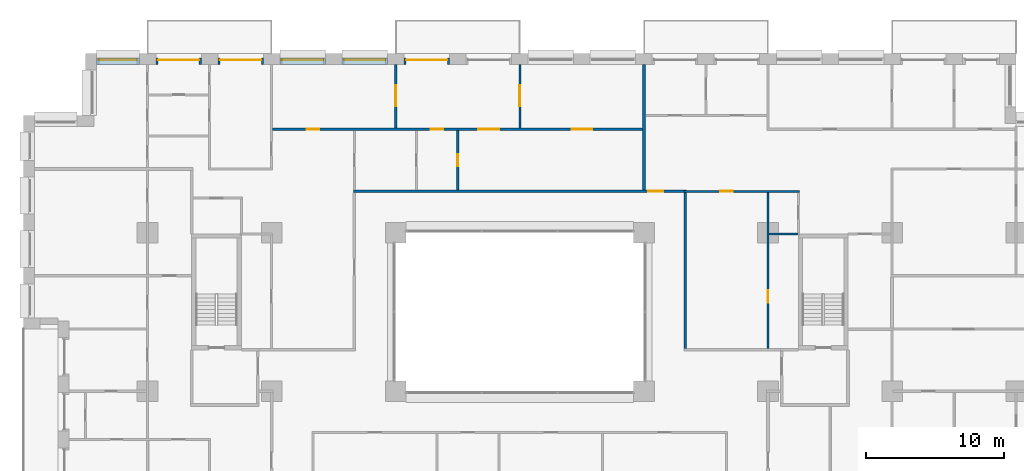
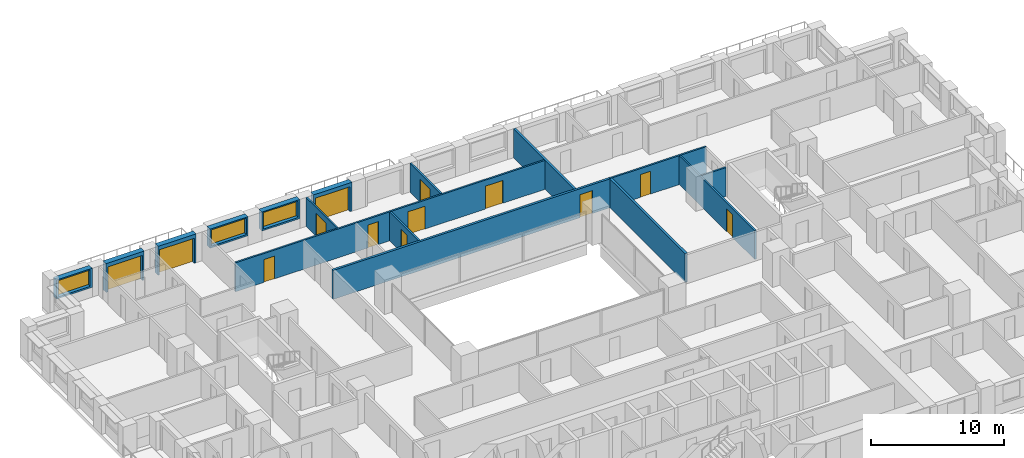
# One storey, part 14 of 20: 16 walls, 13 doors, 3 windows, 16 openings.
"""IFC4 building model written with IfcOpenShell, lengths in metres."""

import ifcopenshell
import ifcopenshell.guid

model = None  # the IFC model being written
_history = None  # IfcOwnerHistory: only IFC2X3 demands one
_inside = {}  # id of a spatial element -> (the spatial element, [elements in it])
_under = {}  # id of a project, library or spatial element -> (it, [spatial elements below it])
_declared = {}  # id of a project -> (the project, [libraries it declares])
_typed = {}  # id of a type object -> (the type object, [elements of that type])
_made_of = {}  # id of a material, layer set ... -> (it, [elements and type objects made of it])


def new_model(schema):
    """Start an empty IFC model of exactly this schema.

    Asked for "IFC4X3", IfcOpenShell would pick the latest addendum, in which some entities
    have other attributes; the version numbers below select the first issue.
    IFC2X3 requires an IfcOwnerHistory on every rooted entity: one is made here for all.
    """
    global model, _history
    if schema == "IFC4X3":
        model = ifcopenshell.file(schema_version=(4, 3, 0, 0))
    else:
        model = ifcopenshell.file(schema=schema)
    _inside.clear()
    _under.clear()
    _declared.clear()
    _typed.clear()
    _made_of.clear()
    _history = None
    if model.schema == "IFC2X3":
        org = make("IfcOrganization", Name="unknown")
        user = make(
            "IfcPersonAndOrganization",
            ThePerson=make("IfcPerson", FamilyName="unknown"),
            TheOrganization=org,
        )
        app = make(
            "IfcApplication",
            ApplicationDeveloper=org,
            Version="unknown",
            ApplicationFullName="unknown",
            ApplicationIdentifier="unknown",
        )
        _history = make(
            "IfcOwnerHistory",
            OwningUser=user,
            OwningApplication=app,
            ChangeAction="ADDED",
            CreationDate=0,
        )
    return model


def make(cls, **values):
    """One entity of the class cls with the attributes given. An attribute that is None is left unset."""
    return model.create_entity(
        cls, **{name: value for name, value in values.items() if value is not None}
    )


def rooted(cls, **values):
    """An entity with a GlobalId (a new one), such as an element, a storey or a relation."""
    return make(cls, GlobalId=ifcopenshell.guid.new(), OwnerHistory=_history, **values)


def si_unit(unit_type, name, prefix=None):
    """IfcSIUnit, for example si_unit("LENGTHUNIT", "METRE", prefix="MILLI")."""
    return make("IfcSIUnit", UnitType=unit_type, Prefix=prefix, Name=name)


def assignment(units):
    """IfcUnitAssignment: the units of a project."""
    return None if units is None else make("IfcUnitAssignment", Units=units)


def point(xyz):
    """IfcCartesianPoint."""
    return None if xyz is None else make("IfcCartesianPoint", Coordinates=xyz)


def direction(xyz):
    """IfcDirection."""
    return None if xyz is None else make("IfcDirection", DirectionRatios=xyz)


def frame(location, z_axis=None, x_axis=None):
    """IfcAxis2Placement3D, a coordinate frame: its origin and axes. An axis left out is left unset."""
    return make(
        "IfcAxis2Placement3D",
        Location=point(location),
        Axis=direction(z_axis),
        RefDirection=direction(x_axis),
    )


def frame_2d(location, x_axis=None):
    """IfcAxis2Placement2D, a coordinate frame in the plane: its origin and x axis."""
    return make(
        "IfcAxis2Placement2D", Location=point(location), RefDirection=direction(x_axis)
    )


def origin():
    """The frame at (0, 0, 0) with its axes left unset."""
    return frame((0.0, 0.0, 0.0))


def place(relative_to, where):
    """IfcLocalPlacement: puts the frame where relative to a parent placement (None: the world)."""
    return make(
        "IfcLocalPlacement", PlacementRelTo=relative_to, RelativePlacement=where
    )


def context(
    kind, dimensions, precision=None, world=None, true_north=None, identifier=None
):
    """IfcGeometricRepresentationContext, for example the 3D "Model" context."""
    return make(
        "IfcGeometricRepresentationContext",
        ContextIdentifier=identifier,
        ContextType=kind,
        CoordinateSpaceDimension=dimensions,
        Precision=precision,
        WorldCoordinateSystem=world,
        TrueNorth=true_north,
    )


def subcontext(parent, identifier, kind, view, scale=None):
    """IfcGeometricRepresentationSubContext, for example "Body" below "Model"."""
    return make(
        "IfcGeometricRepresentationSubContext",
        ContextIdentifier=identifier,
        ContextType=kind,
        ParentContext=parent,
        TargetScale=scale,
        TargetView=view,
    )


def project(units=None, contexts=None):
    """IfcProject with its units and contexts."""
    return rooted(
        "IfcProject",
        Name="project",
        RepresentationContexts=contexts,
        UnitsInContext=assignment(units),
    )


def spatial(cls, under=None, at=None, **own):
    """A site, building, storey or space (cls), placed at a placement, below another one or the project."""
    s = rooted(cls, ObjectPlacement=at, **own)
    if under is not None:
        _under.setdefault(under.id(), (under, []))[1].append(s)
    return s


def profile(cls, at=None, kind="AREA", **sizes):
    """A parametric profile (cls). Its sizes go by their IFC names, for example OverallWidth=200.0."""
    return make(cls, ProfileType=kind, Position=at, **sizes)


def rectangle(**sizes):
    """IfcRectangleProfileDef."""
    return profile("IfcRectangleProfileDef", **sizes)


def extrude(swept, where, along, depth):
    """IfcExtrudedAreaSolid: the profile swept, set in the frame where, extruded along a direction by depth."""
    return make(
        "IfcExtrudedAreaSolid",
        SweptArea=swept,
        Position=where,
        ExtrudedDirection=direction(along),
        Depth=depth,
    )


def shape(context_of_items, identifier, shape_type, items):
    """IfcShapeRepresentation: the items that make up one representation, for example the "Body"."""
    return make(
        "IfcShapeRepresentation",
        ContextOfItems=context_of_items,
        RepresentationIdentifier=identifier,
        RepresentationType=shape_type,
        Items=items,
    )


def material(Name=None, Category=None):
    """IfcMaterial."""
    return make("IfcMaterial", Name=Name, Category=Category)


def layer(
    of_material, thickness, ventilated=None, Name=None, Category=None, Priority=None
):
    """IfcMaterialLayer: one layer of a wall or slab, of a material (None: an air gap)."""
    return make(
        "IfcMaterialLayer",
        Material=of_material,
        LayerThickness=thickness,
        IsVentilated=ventilated,
        Name=Name,
        Category=Category,
        Priority=Priority,
    )


def layer_set(layers, Name=None):
    """IfcMaterialLayerSet."""
    return make("IfcMaterialLayerSet", MaterialLayers=layers, LayerSetName=Name)


def made_of(thing, what):
    """Note that an element or type object is made of a material, layer set ...; save() writes the relation."""
    if what is not None:
        _made_of.setdefault(what.id(), (what, []))[1].append(thing)
    return thing


def type_object(cls, material=None, **own):
    """A type object (cls), such as IfcWallType, which elements share."""
    return made_of(rooted(cls, **own), material)


def element(
    cls,
    number,
    at=None,
    inside=None,
    cuts=None,
    type_object=None,
    material=None,
    context=None,
    identifier="Body",
    shape_type=None,
    held_by="IfcProductDefinitionShape",
    body=None,
    shapes=None,
    **own,
):
    """One element of the class cls, such as IfcWall. Its Tag is "e" and its number.

    at: its placement. inside: the storey or other place that contains it. cuts: it is an
    opening in that element (IfcRelVoidsElement). A single representation is given by context,
    identifier, shape_type and body (its items); several are given by shapes. held_by: the class
    of the entity that holds the representations. save() writes the other relations.
    """
    e = rooted(cls, Tag="e%d" % number, ObjectPlacement=at, **own)
    if body is not None:
        shapes = [shape(context, identifier, shape_type, body)]
    if shapes is not None:
        e.Representation = make(held_by, Representations=shapes)
    if inside is not None:
        _inside.setdefault(inside.id(), (inside, []))[1].append(e)
    if cuts is not None:
        rooted(
            "IfcRelVoidsElement", RelatingBuildingElement=cuts, RelatedOpeningElement=e
        )
    if type_object is not None:
        _typed.setdefault(type_object.id(), (type_object, []))[1].append(e)
    return made_of(e, material)


def fill(opening, filler):
    """IfcRelFillsElement: the door or window that sits in an opening."""
    return rooted(
        "IfcRelFillsElement",
        RelatingOpeningElement=opening,
        RelatedBuildingElement=filler,
    )


def aggregate(whole, parts):
    """IfcRelAggregates: a whole, such as a stair, and the parts it consists of."""
    return rooted("IfcRelAggregates", RelatingObject=whole, RelatedObjects=parts)


def save(model, path):
    """Write the relations noted so far, then the file.

    IfcRelAggregates (storeys below a building ...), IfcRelContainedInSpatialStructure (elements
    in a storey), IfcRelDefinesByType, IfcRelAssociatesMaterial and IfcRelDeclares: one each for
    every whole, place, type object, material and project.
    """
    for whole, parts in _under.values():
        aggregate(whole, parts)
    for where, things in _inside.values():
        rooted(
            "IfcRelContainedInSpatialStructure",
            RelatedElements=things,
            RelatingStructure=where,
        )
    for kind, things in _typed.values():
        rooted("IfcRelDefinesByType", RelatedObjects=things, RelatingType=kind)
    for what, things in _made_of.values():
        rooted("IfcRelAssociatesMaterial", RelatedObjects=things, RelatingMaterial=what)
    for by, libraries in _declared.values():
        rooted("IfcRelDeclares", RelatingContext=by, RelatedDefinitions=libraries)
    model.write(path)


model = new_model("IFC4")

# Units and contexts
model_context = context("Model", 3, precision=1e-05, world=origin(), true_north=direction((0.0, 1.0)))
body_context = subcontext(model_context, "Body", "Model", "MODEL_VIEW")
ifc_project = project(units=[si_unit("LENGTHUNIT", "METRE"), si_unit("AREAUNIT", "SQUARE_METRE"), si_unit("VOLUMEUNIT", "CUBIC_METRE"), si_unit("PLANEANGLEUNIT", "RADIAN"), si_unit("MASSUNIT", "GRAM", prefix="KILO")], contexts=[model_context])

# Site, building, storey
site_placement = place(None, origin())
site = spatial("IfcSite", under=ifc_project, at=site_placement, CompositionType="ELEMENT")
building_placement = place(site_placement, origin())
building = spatial("IfcBuilding", under=site, at=building_placement, Name="Brigalow Station Residences", CompositionType="ELEMENT")
storey_placement = place(building_placement, frame((0.0, 0.0, 69.89990234375)))
storey = spatial("IfcBuildingStorey", under=building, at=storey_placement, Name="L20", CompositionType="ELEMENT", Elevation=69.89990234375)

# Wall, opening, door
ifc_material_1 = material(Name="Clay brick masonry", Category="masonry")
ifc_layer_1 = layer(ifc_material_1, 0.449951171875)
ifc_layer_set_1 = layer_set([ifc_layer_1], Name="BRICK INFILL WALL 450")
wall_type_1 = type_object("IfcWallType", Name="BRICK INFILL WALL 450", PredefinedType="SOLIDWALL", material=ifc_layer_set_1)
wall_1_placement = place(storey_placement, frame((30.89990234375, 47.925048828125, 0.0), z_axis=(0.0, 0.0, 1.0), x_axis=(-1.0, 0.0, 0.0)))
wall_1 = element("IfcWall", 1, at=wall_1_placement, inside=storey, type_object=wall_type_1, Name="L20/ewall/W-L20-34", PredefinedType="SOLIDWALL", context=body_context, shape_type="SweptSolid", body=[
    extrude(rectangle(XDim=3.2998046875, YDim=0.449951171875, at=frame_2d((1.64990234375, 0.0))), origin(), (0.0, 0.0, 1.0), 2.650146484375),
])
opening_1_placement = place(wall_1_placement, frame((0.14990234375, 0.0, 0.0)))
opening_1 = element("IfcOpeningElement", 2, at=opening_1_placement, cuts=wall_1, Name="Opening D-B3000", PredefinedType="OPENING", context=body_context, shape_type="SweptSolid", body=[
    extrude(rectangle(XDim=3.0, YDim=2.300048828125, at=frame_2d((1.5, 1.14990234375))), frame((0.0, 0.23486328125, 0.0), z_axis=(0.0, -1.0, 0.0), x_axis=(1.0, 0.0, 0.0)), (0.0, 0.0, 1.0), 0.469970703125),
])
ifc_material_2 = material(Name="Anodised aluminium frame with double glazing", Category="aluminium")
door_type_1 = type_object("IfcDoorType", Name="BALCONY SLIDING DOOR 3000x2300", OperationType="SLIDING_TO_LEFT", PredefinedType="DOOR", material=ifc_material_2)
door_1_placement = place(opening_1_placement, origin())
door_1 = element("IfcDoor", 3, at=door_1_placement, inside=storey, type_object=door_type_1, Name="L20/balcony-door/W-L20-34", OperationType="SLIDING_TO_LEFT", OverallHeight=2.300048828125, OverallWidth=3.0, PredefinedType="DOOR", context=body_context, shape_type="SweptSolid", body=[
    extrude(rectangle(XDim=3.0, YDim=2.300048828125, at=frame_2d((1.5, 1.14990234375))), frame((0.0, -0.06982421875, 0.0), z_axis=(0.0, -1.0, 0.0), x_axis=(1.0, 0.0, 0.0)), (0.0, 0.0, 1.0), 0.050048828125),
])
fill(opening_1, door_1)

# Wall, opening, window
wall_2_placement = place(storey_placement, frame((26.39990234375, 47.925048828125, 0.900146484375), z_axis=(0.0, 0.0, 1.0), x_axis=(-1.0, 0.0, 0.0)))
wall_2 = element("IfcWall", 4, at=wall_2_placement, inside=storey, type_object=wall_type_1, Name="L20/ewall/W-L20-35", PredefinedType="SOLIDWALL", context=body_context, shape_type="SweptSolid", body=[
    extrude(rectangle(XDim=3.2998046875, YDim=0.449951171875, at=frame_2d((1.64990234375, 0.0))), origin(), (0.0, 0.0, 1.0), 1.75),
])
opening_2_placement = place(wall_2_placement, frame((0.14990234375, 0.0, 0.14990234375)))
opening_2 = element("IfcOpeningElement", 5, at=opening_2_placement, cuts=wall_2, Name="Opening WT-2", PredefinedType="OPENING", context=body_context, shape_type="SweptSolid", body=[
    extrude(rectangle(XDim=3.0, YDim=1.5, at=frame_2d((1.5, 0.75))), frame((0.0, 0.23486328125, 0.0), z_axis=(0.0, -1.0, 0.0), x_axis=(1.0, 0.0, 0.0)), (0.0, 0.0, 1.0), 0.469970703125),
])
ifc_material_3 = material(Name="Anodised aluminium frame with double glazing", Category="aluminium")
window_type_1 = type_object("IfcWindowType", Name="WINDOW 3000x1500", PartitioningType="SINGLE_PANEL", PredefinedType="WINDOW", material=ifc_material_3)
window_1_placement = place(opening_2_placement, origin())
window_1 = element("IfcWindow", 6, at=window_1_placement, inside=storey, type_object=window_type_1, Name="L20/window/W-L20-35", OverallHeight=1.5, OverallWidth=3.0, PartitioningType="SINGLE_PANEL", PredefinedType="WINDOW", context=body_context, shape_type="SweptSolid", body=[
    extrude(rectangle(XDim=3.0, YDim=1.5, at=frame_2d((1.5, 0.75))), frame((0.0, -0.06494140625, 0.0), z_axis=(0.0, -1.0, 0.0), x_axis=(1.0, 0.0, 0.0)), (0.0, 0.0, 1.0), 0.06005859375),
])
fill(opening_2, window_1)

wall_3_placement = place(storey_placement, frame((21.89990234375, 47.925048828125, 0.900146484375), z_axis=(0.0, 0.0, 1.0), x_axis=(-1.0, 0.0, 0.0)))
wall_3 = element("IfcWall", 7, at=wall_3_placement, inside=storey, type_object=wall_type_1, Name="L20/ewall/W-L20-36", PredefinedType="SOLIDWALL", context=body_context, shape_type="SweptSolid", body=[
    extrude(rectangle(XDim=3.2998046875, YDim=0.449951171875, at=frame_2d((1.64990234375, 0.0))), origin(), (0.0, 0.0, 1.0), 1.75),
])
opening_3_placement = place(wall_3_placement, frame((0.14990234375, 0.0, 0.14990234375)))
opening_3 = element("IfcOpeningElement", 8, at=opening_3_placement, cuts=wall_3, Name="Opening WT-2", PredefinedType="OPENING", context=body_context, shape_type="SweptSolid", body=[
    extrude(rectangle(XDim=3.0, YDim=1.5, at=frame_2d((1.5, 0.75))), frame((0.0, 0.23486328125, 0.0), z_axis=(0.0, -1.0, 0.0), x_axis=(1.0, 0.0, 0.0)), (0.0, 0.0, 1.0), 0.469970703125),
])
window_2_placement = place(opening_3_placement, origin())
window_2 = element("IfcWindow", 9, at=window_2_placement, inside=storey, type_object=window_type_1, Name="L20/window/W-L20-36", OverallHeight=1.5, OverallWidth=3.0, PartitioningType="SINGLE_PANEL", PredefinedType="WINDOW", context=body_context, shape_type="SweptSolid", body=[
    extrude(rectangle(XDim=3.0, YDim=1.5, at=frame_2d((1.5, 0.75))), frame((0.0, -0.06494140625, 0.0), z_axis=(0.0, -1.0, 0.0), x_axis=(1.0, 0.0, 0.0)), (0.0, 0.0, 1.0), 0.06005859375),
])
fill(opening_3, window_2)

# Wall, opening, door
wall_4_placement = place(storey_placement, frame((17.39990234375, 47.925048828125, 0.0), z_axis=(0.0, 0.0, 1.0), x_axis=(-1.0, 0.0, 0.0)))
wall_4 = element("IfcWall", 10, at=wall_4_placement, inside=storey, type_object=wall_type_1, Name="L20/ewall/W-L20-37", PredefinedType="SOLIDWALL", context=body_context, shape_type="SweptSolid", body=[
    extrude(rectangle(XDim=3.2998046875, YDim=0.449951171875, at=frame_2d((1.64990234375, 0.0))), origin(), (0.0, 0.0, 1.0), 2.650146484375),
])
opening_4_placement = place(wall_4_placement, frame((0.14990234375, 0.0, 0.0)))
opening_4 = element("IfcOpeningElement", 11, at=opening_4_placement, cuts=wall_4, Name="Opening D-B3000", PredefinedType="OPENING", context=body_context, shape_type="SweptSolid", body=[
    extrude(rectangle(XDim=3.0, YDim=2.300048828125, at=frame_2d((1.5, 1.14990234375))), frame((0.0, 0.23486328125, 0.0), z_axis=(0.0, -1.0, 0.0), x_axis=(1.0, 0.0, 0.0)), (0.0, 0.0, 1.0), 0.469970703125),
])
door_2_placement = place(opening_4_placement, origin())
door_2 = element("IfcDoor", 12, at=door_2_placement, inside=storey, type_object=door_type_1, Name="L20/balcony-door/W-L20-37", OperationType="SLIDING_TO_LEFT", OverallHeight=2.300048828125, OverallWidth=3.0, PredefinedType="DOOR", context=body_context, shape_type="SweptSolid", body=[
    extrude(rectangle(XDim=3.0, YDim=2.300048828125, at=frame_2d((1.5, 1.14990234375))), frame((0.0, -0.06982421875, 0.0), z_axis=(0.0, -1.0, 0.0), x_axis=(1.0, 0.0, 0.0)), (0.0, 0.0, 1.0), 0.050048828125),
])
fill(opening_4, door_2)

wall_5_placement = place(storey_placement, frame((12.89990234375, 47.925048828125, 0.0), z_axis=(0.0, 0.0, 1.0), x_axis=(-1.0, 0.0, 0.0)))
wall_5 = element("IfcWall", 13, at=wall_5_placement, inside=storey, type_object=wall_type_1, Name="L20/ewall/W-L20-38", PredefinedType="SOLIDWALL", context=body_context, shape_type="SweptSolid", body=[
    extrude(rectangle(XDim=3.2998046875, YDim=0.449951171875, at=frame_2d((1.64990234375, 0.0))), origin(), (0.0, 0.0, 1.0), 2.650146484375),
])
opening_5_placement = place(wall_5_placement, frame((0.14990234375, 0.0, 0.0)))
opening_5 = element("IfcOpeningElement", 14, at=opening_5_placement, cuts=wall_5, Name="Opening D-B3000", PredefinedType="OPENING", context=body_context, shape_type="SweptSolid", body=[
    extrude(rectangle(XDim=3.0, YDim=2.300048828125, at=frame_2d((1.5, 1.14990234375))), frame((0.0, 0.23486328125, 0.0), z_axis=(0.0, -1.0, 0.0), x_axis=(1.0, 0.0, 0.0)), (0.0, 0.0, 1.0), 0.469970703125),
])
door_3_placement = place(opening_5_placement, origin())
door_3 = element("IfcDoor", 15, at=door_3_placement, inside=storey, type_object=door_type_1, Name="L20/balcony-door/W-L20-38", OperationType="SLIDING_TO_LEFT", OverallHeight=2.300048828125, OverallWidth=3.0, PredefinedType="DOOR", context=body_context, shape_type="SweptSolid", body=[
    extrude(rectangle(XDim=3.0, YDim=2.300048828125, at=frame_2d((1.5, 1.14990234375))), frame((0.0, -0.06982421875, 0.0), z_axis=(0.0, -1.0, 0.0), x_axis=(1.0, 0.0, 0.0)), (0.0, 0.0, 1.0), 0.050048828125),
])
fill(opening_5, door_3)

# Wall, opening, window
wall_6_placement = place(storey_placement, frame((8.39990234375, 47.925048828125, 0.900146484375), z_axis=(0.0, 0.0, 1.0), x_axis=(-1.0, 0.0, 0.0)))
wall_6 = element("IfcWall", 16, at=wall_6_placement, inside=storey, type_object=wall_type_1, Name="L20/ewall/W-L20-39", PredefinedType="SOLIDWALL", context=body_context, shape_type="SweptSolid", body=[
    extrude(rectangle(XDim=3.099853515625, YDim=0.449951171875, at=frame_2d((1.5498046875, 0.0))), origin(), (0.0, 0.0, 1.0), 1.75),
])
opening_6_placement = place(wall_6_placement, frame((0.175048828125, 0.0, 0.14990234375)))
opening_6 = element("IfcOpeningElement", 17, at=opening_6_placement, cuts=wall_6, Name="Opening WT-3", PredefinedType="OPENING", context=body_context, shape_type="SweptSolid", body=[
    extrude(rectangle(XDim=2.75, YDim=1.5, at=frame_2d((1.375, 0.75))), frame((0.0, 0.23486328125, 0.0), z_axis=(0.0, -1.0, 0.0), x_axis=(1.0, 0.0, 0.0)), (0.0, 0.0, 1.0), 0.469970703125),
])
ifc_material_4 = material(Name="Anodised aluminium frame with double glazing", Category="aluminium")
window_type_2 = type_object("IfcWindowType", Name="WINDOW 2750x1500", PartitioningType="SINGLE_PANEL", PredefinedType="WINDOW", material=ifc_material_4)
window_3_placement = place(opening_6_placement, origin())
window_3 = element("IfcWindow", 18, at=window_3_placement, inside=storey, type_object=window_type_2, Name="L20/window/W-L20-39", OverallHeight=1.5, OverallWidth=2.75, PartitioningType="SINGLE_PANEL", PredefinedType="WINDOW", context=body_context, shape_type="SweptSolid", body=[
    extrude(rectangle(XDim=2.75, YDim=1.5, at=frame_2d((1.375, 0.75))), frame((0.0, -0.06494140625, 0.0), z_axis=(0.0, -1.0, 0.0), x_axis=(1.0, 0.0, 0.0)), (0.0, 0.0, 1.0), 0.06005859375),
])
fill(opening_6, window_3)

# Wall, opening, door
ifc_material_5 = material(Name="Plasterboard on steel stud partition", Category="steel")
ifc_layer_2 = layer(ifc_material_5, 0.14990234375)
ifc_layer_set_2 = layer_set([ifc_layer_2], Name="FLAT PARTITION 150")
wall_type_2 = type_object("IfcWallType", Name="FLAT PARTITION 150", PredefinedType="PARTITIONING", material=ifc_layer_set_2)
wall_7_placement = place(storey_placement, frame((47.89990234375, 38.5, 0.0), z_axis=(0.0, 0.0, 1.0), x_axis=(1.0, 0.0, 0.0)))
wall_7 = element("IfcWall", 19, at=wall_7_placement, inside=storey, type_object=wall_type_2, Name="PW-1G08", PredefinedType="PARTITIONING", context=body_context, shape_type="SweptSolid", body=[
    extrude(rectangle(XDim=8.375, YDim=0.14990234375, at=frame_2d((4.1875, 0.0))), origin(), (0.0, 0.0, 1.0), 2.650146484375),
])
opening_7_placement = place(wall_7_placement, frame((2.64990234375, 0.0, 0.0)))
opening_7 = element("IfcOpeningElement", 20, at=opening_7_placement, cuts=wall_7, Name="Opening D-1G42", PredefinedType="OPENING", context=body_context, shape_type="SweptSolid", body=[
    extrude(rectangle(XDim=0.89990234375, YDim=2.10009765625, at=frame_2d((0.449951171875, 1.050048828125))), frame((0.0, 0.0849609375, 0.0), z_axis=(0.0, -1.0, 0.0), x_axis=(1.0, 0.0, 0.0)), (0.0, 0.0, 1.0), 0.169921875),
])
ifc_material_6 = material(Name="Solid-core timber door leaf", Category="wood")
door_type_2 = type_object("IfcDoorType", Name="INTERNAL DOOR 900 x 2100", OperationType="SINGLE_SWING_LEFT", PredefinedType="DOOR", material=ifc_material_6)
door_4_placement = place(opening_7_placement, frame((0.89990234375, 0.0, 0.0), z_axis=(0.0, 0.0, 1.0), x_axis=(-1.0, 0.0, 0.0)))
door_4 = element("IfcDoor", 21, at=door_4_placement, inside=storey, type_object=door_type_2, Name="D-1G42", OperationType="SINGLE_SWING_RIGHT", OverallHeight=2.10009765625, OverallWidth=0.89990234375, PredefinedType="DOOR", context=body_context, shape_type="SweptSolid", body=[
    extrude(rectangle(XDim=0.89990234375, YDim=2.10009765625, at=frame_2d((0.449951171875, 1.050048828125))), frame((0.0, 0.02490234375, 0.0), z_axis=(0.0, -1.0, 0.0), x_axis=(1.0, 0.0, 0.0)), (0.0, 0.0, 1.0), 0.050048828125),
])
fill(opening_7, door_4)

# Wall, openings, doors
wall_8_placement = place(storey_placement, frame((18.074951171875, 43.0, 0.0), z_axis=(0.0, 0.0, 1.0), x_axis=(1.0, 0.0, 0.0)))
wall_8 = element("IfcWall", 22, at=wall_8_placement, inside=storey, type_object=wall_type_2, Name="PW-1G27", PredefinedType="PARTITIONING", context=body_context, shape_type="SweptSolid", body=[
    extrude(rectangle(XDim=26.824951171875, YDim=0.14990234375, at=frame_2d((13.41259765625, 0.0))), origin(), (0.0, 0.0, 1.0), 2.650146484375),
])
opening_8_placement = place(wall_8_placement, frame((14.925048828125, 0.0, 0.0)))
opening_8 = element("IfcOpeningElement", 23, at=opening_8_placement, cuts=wall_8, Name="Opening D-1G21", PredefinedType="OPENING", context=body_context, shape_type="SweptSolid", body=[
    extrude(rectangle(XDim=1.5, YDim=2.10009765625, at=frame_2d((0.75, 1.050048828125))), frame((0.0, 0.0849609375, 0.0), z_axis=(0.0, -1.0, 0.0), x_axis=(1.0, 0.0, 0.0)), (0.0, 0.0, 1.0), 0.169921875),
])
opening_9_placement = place(wall_8_placement, frame((11.47509765625, 0.0, 0.0)))
opening_9 = element("IfcOpeningElement", 24, at=opening_9_placement, cuts=wall_8, Name="Opening D-1G23", PredefinedType="OPENING", context=body_context, shape_type="SweptSolid", body=[
    extrude(rectangle(XDim=0.89990234375, YDim=2.10009765625, at=frame_2d((0.449951171875, 1.050048828125))), frame((0.0, 0.0849609375, 0.0), z_axis=(0.0, -1.0, 0.0), x_axis=(1.0, 0.0, 0.0)), (0.0, 0.0, 1.0), 0.169921875),
])
opening_10_placement = place(wall_8_placement, frame((2.47509765625, 0.0, 0.0)))
opening_10 = element("IfcOpeningElement", 25, at=opening_10_placement, cuts=wall_8, Name="Opening D-1G30", PredefinedType="OPENING", context=body_context, shape_type="SweptSolid", body=[
    extrude(rectangle(XDim=0.89990234375, YDim=2.10009765625, at=frame_2d((0.449951171875, 1.050048828125))), frame((0.0, 0.0849609375, 0.0), z_axis=(0.0, -1.0, 0.0), x_axis=(1.0, 0.0, 0.0)), (0.0, 0.0, 1.0), 0.169921875),
])
opening_11_placement = place(wall_8_placement, frame((21.675048828125, 0.0, 0.0)))
opening_11 = element("IfcOpeningElement", 26, at=opening_11_placement, cuts=wall_8, Name="Opening D-1G35", PredefinedType="OPENING", context=body_context, shape_type="SweptSolid", body=[
    extrude(rectangle(XDim=1.5, YDim=2.10009765625, at=frame_2d((0.75, 1.050048828125))), frame((0.0, 0.0849609375, 0.0), z_axis=(0.0, -1.0, 0.0), x_axis=(1.0, 0.0, 0.0)), (0.0, 0.0, 1.0), 0.169921875),
])
door_5_placement = place(opening_9_placement, frame((0.89990234375, 0.0, 0.0), z_axis=(0.0, 0.0, 1.0), x_axis=(-1.0, 0.0, 0.0)))
door_5 = element("IfcDoor", 27, at=door_5_placement, inside=storey, type_object=door_type_2, Name="D-1G23", OperationType="SINGLE_SWING_LEFT", OverallHeight=2.10009765625, OverallWidth=0.89990234375, PredefinedType="DOOR", context=body_context, shape_type="SweptSolid", body=[
    extrude(rectangle(XDim=0.89990234375, YDim=2.10009765625, at=frame_2d((0.449951171875, 1.050048828125))), frame((0.0, 0.02490234375, 0.0), z_axis=(0.0, -1.0, 0.0), x_axis=(1.0, 0.0, 0.0)), (0.0, 0.0, 1.0), 0.050048828125),
])
fill(opening_9, door_5)
door_6_placement = place(opening_10_placement, origin())
door_6 = element("IfcDoor", 28, at=door_6_placement, inside=storey, type_object=door_type_2, Name="D-1G30", OperationType="SINGLE_SWING_LEFT", OverallHeight=2.10009765625, OverallWidth=0.89990234375, PredefinedType="DOOR", context=body_context, shape_type="SweptSolid", body=[
    extrude(rectangle(XDim=0.89990234375, YDim=2.10009765625, at=frame_2d((0.449951171875, 1.050048828125))), frame((0.0, 0.02490234375, 0.0), z_axis=(0.0, -1.0, 0.0), x_axis=(1.0, 0.0, 0.0)), (0.0, 0.0, 1.0), 0.050048828125),
])
fill(opening_10, door_6)
ifc_material_7 = material(Name="Solid-core timber door leaf", Category="wood")
door_type_3 = type_object("IfcDoorType", Name="INTERNAL DOUBLE DOOR 1500 x 2100", OperationType="DOUBLE_DOOR_SINGLE_SWING", PredefinedType="DOOR", material=ifc_material_7)
door_7_placement = place(opening_8_placement, origin())
door_7 = element("IfcDoor", 29, at=door_7_placement, inside=storey, type_object=door_type_3, Name="D-1G21", OperationType="DOUBLE_DOOR_SINGLE_SWING", OverallHeight=2.10009765625, OverallWidth=1.5, PredefinedType="DOOR", context=body_context, shape_type="SweptSolid", body=[
    extrude(rectangle(XDim=1.5, YDim=2.10009765625, at=frame_2d((0.75, 1.050048828125))), frame((0.0, 0.02490234375, 0.0), z_axis=(0.0, -1.0, 0.0), x_axis=(1.0, 0.0, 0.0)), (0.0, 0.0, 1.0), 0.050048828125),
])
fill(opening_8, door_7)
door_8_placement = place(opening_11_placement, origin())
door_8 = element("IfcDoor", 30, at=door_8_placement, inside=storey, type_object=door_type_3, Name="D-1G35", OperationType="DOUBLE_DOOR_SINGLE_SWING", OverallHeight=2.10009765625, OverallWidth=1.5, PredefinedType="DOOR", context=body_context, shape_type="SweptSolid", body=[
    extrude(rectangle(XDim=1.5, YDim=2.10009765625, at=frame_2d((0.75, 1.050048828125))), frame((0.0, 0.02490234375, 0.0), z_axis=(0.0, -1.0, 0.0), x_axis=(1.0, 0.0, 0.0)), (0.0, 0.0, 1.0), 0.050048828125),
])
fill(opening_11, door_8)

# Wall
wall_9_placement = place(storey_placement, frame((54.074951171875, 35.39990234375, 0.0), z_axis=(0.0, 0.0, 1.0), x_axis=(1.0, 0.0, 0.0)))
element("IfcWall", 31, at=wall_9_placement, inside=storey, type_object=wall_type_2, Name="PW-1G31", PredefinedType="PARTITIONING", context=body_context, shape_type="SweptSolid", body=[
    extrude(rectangle(XDim=2.125, YDim=0.14990234375, at=frame_2d((1.0625, 0.0))), origin(), (0.0, 0.0, 1.0), 2.650146484375),
])

# Wall, opening, door
wall_10_placement = place(storey_placement, frame((54.0, 27.10009765625, 0.0), z_axis=(0.0, 0.0, 1.0), x_axis=(0.0, 1.0, 0.0)))
wall_10 = element("IfcWall", 32, at=wall_10_placement, inside=storey, type_object=wall_type_2, Name="PW-1G42", PredefinedType="PARTITIONING", context=body_context, shape_type="SweptSolid", body=[
    extrude(rectangle(XDim=11.324951171875, YDim=0.14990234375, at=frame_2d((5.66259765625, 0.0))), origin(), (0.0, 0.0, 1.0), 2.650146484375),
])
opening_12_placement = place(wall_10_placement, frame((3.324951171875, 0.0, 0.0)))
opening_12 = element("IfcOpeningElement", 33, at=opening_12_placement, cuts=wall_10, Name="Opening D-1G49", PredefinedType="OPENING", context=body_context, shape_type="SweptSolid", body=[
    extrude(rectangle(XDim=0.89990234375, YDim=2.10009765625, at=frame_2d((0.449951171875, 1.050048828125))), frame((0.0, 0.0849609375, 0.0), z_axis=(0.0, -1.0, 0.0), x_axis=(1.0, 0.0, 0.0)), (0.0, 0.0, 1.0), 0.169921875),
])
door_9_placement = place(opening_12_placement, frame((0.89990234375, 0.0, 0.0), z_axis=(0.0, 0.0, 1.0), x_axis=(-1.0, 0.0, 0.0)))
door_9 = element("IfcDoor", 34, at=door_9_placement, inside=storey, type_object=door_type_2, Name="D-1G49", OperationType="SINGLE_SWING_RIGHT", OverallHeight=2.10009765625, OverallWidth=0.89990234375, PredefinedType="DOOR", context=body_context, shape_type="SweptSolid", body=[
    extrude(rectangle(XDim=0.89990234375, YDim=2.10009765625, at=frame_2d((0.449951171875, 1.050048828125))), frame((0.0, 0.02490234375, 0.0), z_axis=(0.0, -1.0, 0.0), x_axis=(1.0, 0.0, 0.0)), (0.0, 0.0, 1.0), 0.050048828125),
])
fill(opening_12, door_9)

wall_11_placement = place(storey_placement, frame((27.0, 43.074951171875, 0.0), z_axis=(0.0, 0.0, 1.0), x_axis=(0.0, 1.0, 0.0)))
wall_11 = element("IfcWall", 35, at=wall_11_placement, inside=storey, type_object=wall_type_2, Name="PW-1G61", PredefinedType="PARTITIONING", context=body_context, shape_type="SweptSolid", body=[
    extrude(rectangle(XDim=4.625, YDim=0.14990234375, at=frame_2d((2.3125, 0.0))), origin(), (0.0, 0.0, 1.0), 2.650146484375),
])
opening_13_placement = place(wall_11_placement, frame((1.60009765625, 0.0, 0.0)))
opening_13 = element("IfcOpeningElement", 36, at=opening_13_placement, cuts=wall_11, Name="Opening D-1G22", PredefinedType="OPENING", context=body_context, shape_type="SweptSolid", body=[
    extrude(rectangle(XDim=1.5, YDim=2.10009765625, at=frame_2d((0.75, 1.050048828125))), frame((0.0, 0.0849609375, 0.0), z_axis=(0.0, -1.0, 0.0), x_axis=(1.0, 0.0, 0.0)), (0.0, 0.0, 1.0), 0.169921875),
])
door_10_placement = place(opening_13_placement, frame((1.5, 0.0, 0.0), z_axis=(0.0, 0.0, 1.0), x_axis=(-1.0, 0.0, 0.0)))
door_10 = element("IfcDoor", 37, at=door_10_placement, inside=storey, type_object=door_type_3, Name="D-1G22", OperationType="DOUBLE_DOOR_SINGLE_SWING", OverallHeight=2.10009765625, OverallWidth=1.5, PredefinedType="DOOR", context=body_context, shape_type="SweptSolid", body=[
    extrude(rectangle(XDim=1.5, YDim=2.10009765625, at=frame_2d((0.75, 1.050048828125))), frame((0.0, 0.02490234375, 0.0), z_axis=(0.0, -1.0, 0.0), x_axis=(1.0, 0.0, 0.0)), (0.0, 0.0, 1.0), 0.050048828125),
])
fill(opening_13, door_10)

wall_12_placement = place(storey_placement, frame((31.5, 38.60009765625, 0.0), z_axis=(0.0, 0.0, 1.0), x_axis=(0.0, 1.0, 0.0)))
wall_12 = element("IfcWall", 38, at=wall_12_placement, inside=storey, type_object=wall_type_2, Name="PW-1G63", PredefinedType="PARTITIONING", context=body_context, shape_type="SweptSolid", body=[
    extrude(rectangle(XDim=4.324951171875, YDim=0.14990234375, at=frame_2d((2.16259765625, 0.0))), origin(), (0.0, 0.0, 1.0), 2.650146484375),
])
opening_14_placement = place(wall_12_placement, frame((1.699951171875, 0.0, 0.0)))
opening_14 = element("IfcOpeningElement", 39, at=opening_14_placement, cuts=wall_12, Name="Opening D-1G34", PredefinedType="OPENING", context=body_context, shape_type="SweptSolid", body=[
    extrude(rectangle(XDim=0.89990234375, YDim=2.10009765625, at=frame_2d((0.449951171875, 1.050048828125))), frame((0.0, 0.0849609375, 0.0), z_axis=(0.0, -1.0, 0.0), x_axis=(1.0, 0.0, 0.0)), (0.0, 0.0, 1.0), 0.169921875),
])
door_11_placement = place(opening_14_placement, origin())
door_11 = element("IfcDoor", 40, at=door_11_placement, inside=storey, type_object=door_type_2, Name="D-1G34", OperationType="SINGLE_SWING_LEFT", OverallHeight=2.10009765625, OverallWidth=0.89990234375, PredefinedType="DOOR", context=body_context, shape_type="SweptSolid", body=[
    extrude(rectangle(XDim=0.89990234375, YDim=2.10009765625, at=frame_2d((0.449951171875, 1.050048828125))), frame((0.0, 0.02490234375, 0.0), z_axis=(0.0, -1.0, 0.0), x_axis=(1.0, 0.0, 0.0)), (0.0, 0.0, 1.0), 0.050048828125),
])
fill(opening_14, door_11)

wall_13_placement = place(storey_placement, frame((36.0, 43.074951171875, 0.0), z_axis=(0.0, 0.0, 1.0), x_axis=(0.0, 1.0, 0.0)))
wall_13 = element("IfcWall", 41, at=wall_13_placement, inside=storey, type_object=wall_type_2, Name="PW-1G64", PredefinedType="PARTITIONING", context=body_context, shape_type="SweptSolid", body=[
    extrude(rectangle(XDim=4.625, YDim=0.14990234375, at=frame_2d((2.3125, 0.0))), origin(), (0.0, 0.0, 1.0), 2.650146484375),
])
opening_15_placement = place(wall_13_placement, frame((1.60009765625, 0.0, 0.0)))
opening_15 = element("IfcOpeningElement", 42, at=opening_15_placement, cuts=wall_13, Name="Opening D-1G24", PredefinedType="OPENING", context=body_context, shape_type="SweptSolid", body=[
    extrude(rectangle(XDim=1.5, YDim=2.10009765625, at=frame_2d((0.75, 1.050048828125))), frame((0.0, 0.0849609375, 0.0), z_axis=(0.0, -1.0, 0.0), x_axis=(1.0, 0.0, 0.0)), (0.0, 0.0, 1.0), 0.169921875),
])
door_12_placement = place(opening_15_placement, origin())
door_12 = element("IfcDoor", 43, at=door_12_placement, inside=storey, type_object=door_type_3, Name="D-1G24", OperationType="DOUBLE_DOOR_SINGLE_SWING", OverallHeight=2.10009765625, OverallWidth=1.5, PredefinedType="DOOR", context=body_context, shape_type="SweptSolid", body=[
    extrude(rectangle(XDim=1.5, YDim=2.10009765625, at=frame_2d((0.75, 1.050048828125))), frame((0.0, 0.02490234375, 0.0), z_axis=(0.0, -1.0, 0.0), x_axis=(1.0, 0.0, 0.0)), (0.0, 0.0, 1.0), 0.050048828125),
])
fill(opening_15, door_12)

ifc_material_8 = material(Name="Plasterboard on steel stud partition", Category="steel")
ifc_layer_3 = layer(ifc_material_8, 0.199951171875)
ifc_layer_set_3 = layer_set([ifc_layer_3], Name="PARTY AND CORRIDOR WALL 200")
wall_type_3 = type_object("IfcWallType", Name="PARTY AND CORRIDOR WALL 200", PredefinedType="PARTITIONING", material=ifc_layer_set_3)
wall_14_placement = place(storey_placement, frame((23.925048828125, 38.5, 0.0), z_axis=(0.0, 0.0, 1.0), x_axis=(1.0, 0.0, 0.0)))
wall_14 = element("IfcWall", 44, at=wall_14_placement, inside=storey, type_object=wall_type_3, Name="PW-1G09", PredefinedType="PARTITIONING", context=body_context, shape_type="SweptSolid", body=[
    extrude(rectangle(XDim=24.175048828125, YDim=0.199951171875, at=frame_2d((12.08740234375, 0.0))), origin(), (0.0, 0.0, 1.0), 2.650146484375),
])
opening_16_placement = place(wall_14_placement, frame((21.375, 0.0, 0.0)))
opening_16 = element("IfcOpeningElement", 45, at=opening_16_placement, cuts=wall_14, Name="Opening D-1G51", PredefinedType="OPENING", context=body_context, shape_type="SweptSolid", body=[
    extrude(rectangle(XDim=1.10009765625, YDim=2.10009765625, at=frame_2d((0.550048828125, 1.050048828125))), frame((0.0, 0.10986328125, 0.0), z_axis=(0.0, -1.0, 0.0), x_axis=(1.0, 0.0, 0.0)), (0.0, 0.0, 1.0), 0.219970703125),
])
ifc_material_9 = material(Name="Solid-core timber door leaf", Category="wood")
door_type_4 = type_object("IfcDoorType", Name="FLAT ENTRANCE DOOR 1100 x 2100 FRL -/60/30", OperationType="SINGLE_SWING_LEFT", PredefinedType="DOOR", material=ifc_material_9)
door_13_placement = place(opening_16_placement, origin())
door_13 = element("IfcDoor", 46, at=door_13_placement, inside=storey, type_object=door_type_4, Name="D-1G51", OperationType="SINGLE_SWING_LEFT", OverallHeight=2.10009765625, OverallWidth=1.10009765625, PredefinedType="DOOR", context=body_context, shape_type="SweptSolid", body=[
    extrude(rectangle(XDim=1.10009765625, YDim=2.10009765625, at=frame_2d((0.550048828125, 1.050048828125))), frame((0.0, 0.02490234375, 0.0), z_axis=(0.0, -1.0, 0.0), x_axis=(1.0, 0.0, 0.0)), (0.0, 0.0, 1.0), 0.050048828125),
])
fill(opening_16, door_13)

# Walls
wall_15_placement = place(storey_placement, frame((48.0, 27.10009765625, 0.0), z_axis=(0.0, 0.0, 1.0), x_axis=(0.0, 1.0, 0.0)))
element("IfcWall", 47, at=wall_15_placement, inside=storey, type_object=wall_type_3, Name="PW-1G49", PredefinedType="PARTITIONING", context=body_context, shape_type="SweptSolid", body=[
    extrude(rectangle(XDim=11.324951171875, YDim=0.199951171875, at=frame_2d((5.66259765625, 0.0))), origin(), (0.0, 0.0, 1.0), 2.650146484375),
])
wall_16_placement = place(storey_placement, frame((45.0, 38.60009765625, 0.0), z_axis=(0.0, 0.0, 1.0), x_axis=(0.0, 1.0, 0.0)))
element("IfcWall", 48, at=wall_16_placement, inside=storey, type_object=wall_type_3, Name="PW-1G65", PredefinedType="PARTITIONING", context=body_context, shape_type="SweptSolid", body=[
    extrude(rectangle(XDim=9.099853515625, YDim=0.199951171875, at=frame_2d((4.5498046875, 0.0))), origin(), (0.0, 0.0, 1.0), 2.650146484375),
])

save(model, "model.ifc")
